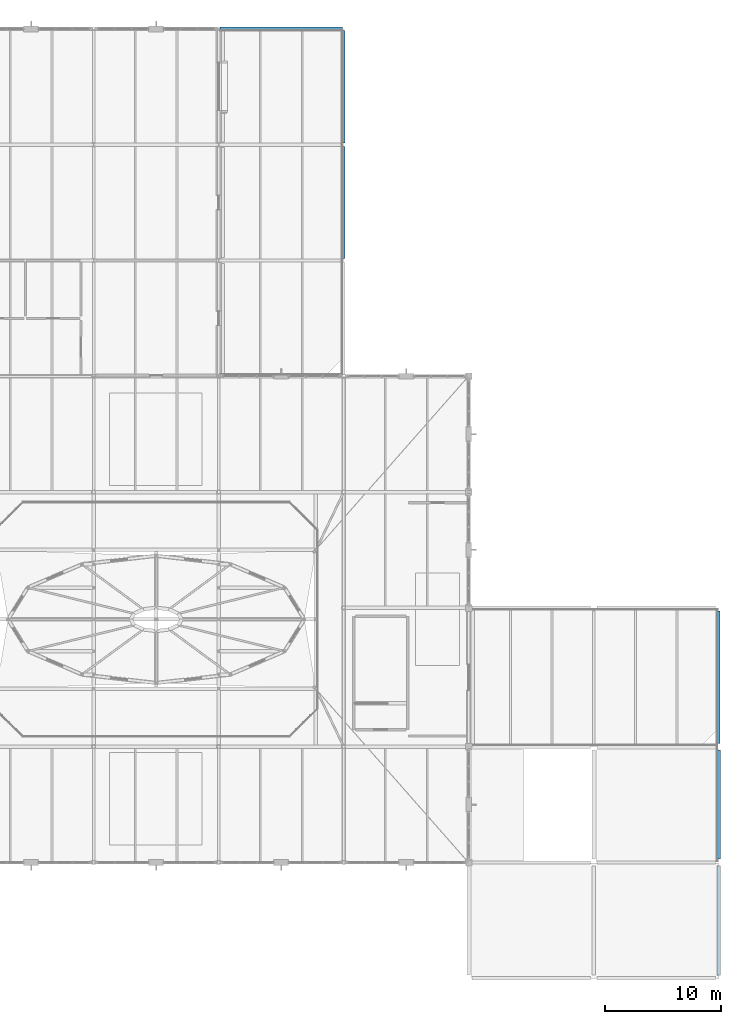
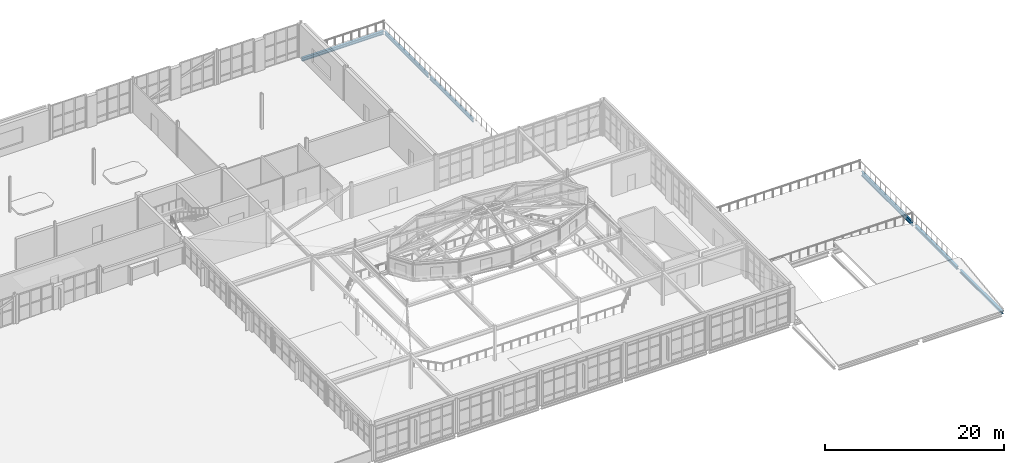
# One storey, part 55 of 86: 6 beams.
"""IFC4 building model written with IfcOpenShell, lengths in metres."""

import ifcopenshell
import ifcopenshell.guid

model = None  # the IFC model being written
_history = None  # IfcOwnerHistory: only IFC2X3 demands one
_inside = {}  # id of a spatial element -> (the spatial element, [elements in it])
_under = {}  # id of a project, library or spatial element -> (it, [spatial elements below it])
_declared = {}  # id of a project -> (the project, [libraries it declares])
_typed = {}  # id of a type object -> (the type object, [elements of that type])
_made_of = {}  # id of a material, layer set ... -> (it, [elements and type objects made of it])


def new_model(schema):
    """Start an empty IFC model of exactly this schema.

    Asked for "IFC4X3", IfcOpenShell would pick the latest addendum, in which some entities
    have other attributes; the version numbers below select the first issue.
    IFC2X3 requires an IfcOwnerHistory on every rooted entity: one is made here for all.
    """
    global model, _history
    if schema == "IFC4X3":
        model = ifcopenshell.file(schema_version=(4, 3, 0, 0))
    else:
        model = ifcopenshell.file(schema=schema)
    _inside.clear()
    _under.clear()
    _declared.clear()
    _typed.clear()
    _made_of.clear()
    _history = None
    if model.schema == "IFC2X3":
        org = make("IfcOrganization", Name="unknown")
        user = make(
            "IfcPersonAndOrganization",
            ThePerson=make("IfcPerson", FamilyName="unknown"),
            TheOrganization=org,
        )
        app = make(
            "IfcApplication",
            ApplicationDeveloper=org,
            Version="unknown",
            ApplicationFullName="unknown",
            ApplicationIdentifier="unknown",
        )
        _history = make(
            "IfcOwnerHistory",
            OwningUser=user,
            OwningApplication=app,
            ChangeAction="ADDED",
            CreationDate=0,
        )
    return model


def make(cls, **values):
    """One entity of the class cls with the attributes given. An attribute that is None is left unset."""
    return model.create_entity(
        cls, **{name: value for name, value in values.items() if value is not None}
    )


def rooted(cls, **values):
    """An entity with a GlobalId (a new one), such as an element, a storey or a relation."""
    return make(cls, GlobalId=ifcopenshell.guid.new(), OwnerHistory=_history, **values)


def si_unit(unit_type, name, prefix=None):
    """IfcSIUnit, for example si_unit("LENGTHUNIT", "METRE", prefix="MILLI")."""
    return make("IfcSIUnit", UnitType=unit_type, Prefix=prefix, Name=name)


def assignment(units):
    """IfcUnitAssignment: the units of a project."""
    return None if units is None else make("IfcUnitAssignment", Units=units)


def point(xyz):
    """IfcCartesianPoint."""
    return None if xyz is None else make("IfcCartesianPoint", Coordinates=xyz)


def direction(xyz):
    """IfcDirection."""
    return None if xyz is None else make("IfcDirection", DirectionRatios=xyz)


def frame(location, z_axis=None, x_axis=None):
    """IfcAxis2Placement3D, a coordinate frame: its origin and axes. An axis left out is left unset."""
    return make(
        "IfcAxis2Placement3D",
        Location=point(location),
        Axis=direction(z_axis),
        RefDirection=direction(x_axis),
    )


def frame_2d(location, x_axis=None):
    """IfcAxis2Placement2D, a coordinate frame in the plane: its origin and x axis."""
    return make(
        "IfcAxis2Placement2D", Location=point(location), RefDirection=direction(x_axis)
    )


def origin():
    """The frame at (0, 0, 0) with its axes left unset."""
    return frame((0.0, 0.0, 0.0))


def origin_2d():
    """The frame at (0, 0) in the plane with its x axis left unset."""
    return frame_2d((0.0, 0.0))


def place(relative_to, where):
    """IfcLocalPlacement: puts the frame where relative to a parent placement (None: the world)."""
    return make(
        "IfcLocalPlacement", PlacementRelTo=relative_to, RelativePlacement=where
    )


def context(
    kind, dimensions, precision=None, world=None, true_north=None, identifier=None
):
    """IfcGeometricRepresentationContext, for example the 3D "Model" context."""
    return make(
        "IfcGeometricRepresentationContext",
        ContextIdentifier=identifier,
        ContextType=kind,
        CoordinateSpaceDimension=dimensions,
        Precision=precision,
        WorldCoordinateSystem=world,
        TrueNorth=true_north,
    )


def subcontext(parent, identifier, kind, view, scale=None):
    """IfcGeometricRepresentationSubContext, for example "Body" below "Model"."""
    return make(
        "IfcGeometricRepresentationSubContext",
        ContextIdentifier=identifier,
        ContextType=kind,
        ParentContext=parent,
        TargetScale=scale,
        TargetView=view,
    )


def project(units=None, contexts=None):
    """IfcProject with its units and contexts."""
    return rooted(
        "IfcProject",
        Name="project",
        RepresentationContexts=contexts,
        UnitsInContext=assignment(units),
    )


def spatial(cls, under=None, at=None, **own):
    """A site, building, storey or space (cls), placed at a placement, below another one or the project."""
    s = rooted(cls, ObjectPlacement=at, **own)
    if under is not None:
        _under.setdefault(under.id(), (under, []))[1].append(s)
    return s


def profile(cls, at=None, kind="AREA", **sizes):
    """A parametric profile (cls). Its sizes go by their IFC names, for example OverallWidth=200.0."""
    return make(cls, ProfileType=kind, Position=at, **sizes)


def i_section(**sizes):
    """IfcIShapeProfileDef."""
    return profile("IfcIShapeProfileDef", **sizes)


def extrude(swept, where, along, depth):
    """IfcExtrudedAreaSolid: the profile swept, set in the frame where, extruded along a direction by depth."""
    return make(
        "IfcExtrudedAreaSolid",
        SweptArea=swept,
        Position=where,
        ExtrudedDirection=direction(along),
        Depth=depth,
    )


def shape(context_of_items, identifier, shape_type, items):
    """IfcShapeRepresentation: the items that make up one representation, for example the "Body"."""
    return make(
        "IfcShapeRepresentation",
        ContextOfItems=context_of_items,
        RepresentationIdentifier=identifier,
        RepresentationType=shape_type,
        Items=items,
    )


def material(Name=None, Category=None):
    """IfcMaterial."""
    return make("IfcMaterial", Name=Name, Category=Category)


def material_profile(
    of_material, cross_section, Name=None, Category=None, Priority=None
):
    """IfcMaterialProfile: a cross section and its material."""
    return make(
        "IfcMaterialProfile",
        Name=Name,
        Material=of_material,
        Profile=cross_section,
        Priority=Priority,
        Category=Category,
    )


def profile_set(profiles, Name=None, composite=None):
    """IfcMaterialProfileSet."""
    return make(
        "IfcMaterialProfileSet",
        Name=Name,
        MaterialProfiles=profiles,
        CompositeProfile=composite,
    )


def made_of(thing, what):
    """Note that an element or type object is made of a material, layer set ...; save() writes the relation."""
    if what is not None:
        _made_of.setdefault(what.id(), (what, []))[1].append(thing)
    return thing


def type_object(cls, material=None, **own):
    """A type object (cls), such as IfcWallType, which elements share."""
    return made_of(rooted(cls, **own), material)


def element(
    cls,
    number,
    at=None,
    inside=None,
    cuts=None,
    type_object=None,
    material=None,
    context=None,
    identifier="Body",
    shape_type=None,
    held_by="IfcProductDefinitionShape",
    body=None,
    shapes=None,
    **own,
):
    """One element of the class cls, such as IfcWall. Its Tag is "e" and its number.

    at: its placement. inside: the storey or other place that contains it. cuts: it is an
    opening in that element (IfcRelVoidsElement). A single representation is given by context,
    identifier, shape_type and body (its items); several are given by shapes. held_by: the class
    of the entity that holds the representations. save() writes the other relations.
    """
    e = rooted(cls, Tag="e%d" % number, ObjectPlacement=at, **own)
    if body is not None:
        shapes = [shape(context, identifier, shape_type, body)]
    if shapes is not None:
        e.Representation = make(held_by, Representations=shapes)
    if inside is not None:
        _inside.setdefault(inside.id(), (inside, []))[1].append(e)
    if cuts is not None:
        rooted(
            "IfcRelVoidsElement", RelatingBuildingElement=cuts, RelatedOpeningElement=e
        )
    if type_object is not None:
        _typed.setdefault(type_object.id(), (type_object, []))[1].append(e)
    return made_of(e, material)


def aggregate(whole, parts):
    """IfcRelAggregates: a whole, such as a stair, and the parts it consists of."""
    return rooted("IfcRelAggregates", RelatingObject=whole, RelatedObjects=parts)


def save(model, path):
    """Write the relations noted so far, then the file.

    IfcRelAggregates (storeys below a building ...), IfcRelContainedInSpatialStructure (elements
    in a storey), IfcRelDefinesByType, IfcRelAssociatesMaterial and IfcRelDeclares: one each for
    every whole, place, type object, material and project.
    """
    for whole, parts in _under.values():
        aggregate(whole, parts)
    for where, things in _inside.values():
        rooted(
            "IfcRelContainedInSpatialStructure",
            RelatedElements=things,
            RelatingStructure=where,
        )
    for kind, things in _typed.values():
        rooted("IfcRelDefinesByType", RelatedObjects=things, RelatingType=kind)
    for what, things in _made_of.values():
        rooted("IfcRelAssociatesMaterial", RelatedObjects=things, RelatingMaterial=what)
    for by, libraries in _declared.values():
        rooted("IfcRelDeclares", RelatingContext=by, RelatedDefinitions=libraries)
    model.write(path)


model = new_model("IFC4")

# Units and contexts
model_context = context("Model", 3, precision=1e-05, world=origin(), true_north=direction((0.0, 1.0)))
body_context = subcontext(model_context, "Body", "Model", "MODEL_VIEW")
ifc_project = project(units=[si_unit("LENGTHUNIT", "METRE"), si_unit("AREAUNIT", "SQUARE_METRE"), si_unit("VOLUMEUNIT", "CUBIC_METRE"), si_unit("PLANEANGLEUNIT", "RADIAN"), si_unit("MASSUNIT", "GRAM", prefix="KILO")], contexts=[model_context])

# Site, building, storey
site_placement = place(None, origin())
site = spatial("IfcSite", under=ifc_project, at=site_placement, CompositionType="ELEMENT")
building_placement = place(site_placement, origin())
building = spatial("IfcBuilding", under=site, at=building_placement, Name="Tasgan Crest Museum", CompositionType="ELEMENT")
storey_placement = place(building_placement, frame((0.0, 0.0, 24.0)))
storey = spatial("IfcBuildingStorey", under=building, at=storey_placement, Name="L04", CompositionType="ELEMENT", Elevation=24.0)

# Beams
ifc_material_1 = material(Name="Steel S355J2", Category="steel")
ifc_material_profile_1 = material_profile(ifc_material_1, i_section(OverallWidth=0.300048828125, OverallDepth=0.389892578125, WebThickness=0.010986328125, FlangeThickness=0.01904296875, FilletRadius=0.027099609375, at=origin_2d()), Name="HEA 400")
ifc_profile_set_1 = profile_set([ifc_material_profile_1], Name="Steel S355J2")
beam_type_1 = type_object("IfcBeamType", Name="BM-G-HEA400", PredefinedType="BEAM", material=ifc_profile_set_1)
for number, where, z_axis, x_axis, name in (
    (1, (129.60009765625, 30.294921875, -0.47509765625), (0.0, 1.0, 0.0), (-1.0, 0.0, 0.0), "East upper archive south roof beam 13 30.0"),
    (2, (129.60009765625, 40.294921875, -0.47509765625), (0.0, 1.0, 0.0), (-1.0, 0.0, 0.0), "East upper archive corridor roof beam 13 40.0"),
):
    element("IfcBeam", number, at=place(storey_placement, frame(where, z_axis=z_axis, x_axis=x_axis)), inside=storey, type_object=beam_type_1, Name=name, PredefinedType="BEAM", context=body_context, shape_type="SweptSolid", body=[
        extrude(i_section(OverallWidth=0.300048828125, OverallDepth=0.389892578125, WebThickness=0.010986328125, FlangeThickness=0.01904296875, FilletRadius=0.027099609375, at=origin_2d()), origin(), (0.0, 0.0, 1.0), 9.41015625),
    ])
ifc_material_2 = material(Name="Steel S355J2", Category="steel")
ifc_material_profile_2 = material_profile(ifc_material_2, i_section(OverallWidth=0.300048828125, OverallDepth=0.43994140625, WebThickness=0.011474609375, FlangeThickness=0.02099609375, FilletRadius=0.027099609375, at=origin_2d()), Name="HEA 450")
ifc_profile_set_2 = profile_set([ifc_material_profile_2], Name="Steel S355J2")
beam_type_2 = type_object("IfcBeamType", Name="BM-G-HEA450", PredefinedType="BEAM", material=ifc_profile_set_2)
beam_1_placement = place(storey_placement, frame((86.52587890625, 112.0, -0.469970703125), z_axis=(1.0, 0.0, 0.0), x_axis=(0.0, 1.0, 0.0)))
element("IfcBeam", 3, at=beam_1_placement, inside=storey, type_object=beam_type_2, Name="Girder L04 M 86.4-97.2", PredefinedType="BEAM", context=body_context, shape_type="SweptSolid", body=[
    extrude(i_section(OverallWidth=0.300048828125, OverallDepth=0.43994140625, WebThickness=0.011474609375, FlangeThickness=0.02099609375, FilletRadius=0.027099609375, at=origin_2d()), origin(), (0.0, 0.0, 1.0), 10.548095703125),
])
ifc_material_3 = material(Name="Steel S355J2", Category="steel")
ifc_material_profile_3 = material_profile(ifc_material_3, i_section(OverallWidth=0.199951171875, OverallDepth=0.5, WebThickness=0.01025390625, FlangeThickness=0.01611328125, FilletRadius=0.02099609375, at=origin_2d()), Name="IPE 500")
ifc_profile_set_3 = profile_set([ifc_material_profile_3], Name="Steel S355J2")
beam_type_3 = type_object("IfcBeamType", Name="BM-G-IPE500", PredefinedType="BEAM", material=ifc_profile_set_3)
beam_2_placement = place(storey_placement, frame((97.199951171875, 92.169921875, -0.5), z_axis=(0.0, 1.0, 0.0), x_axis=(-1.0, 0.0, 0.0)))
element("IfcBeam", 4, at=beam_2_placement, inside=storey, type_object=beam_type_3, Name="Beam L04 10 92.0-102.0", PredefinedType="BEAM", context=body_context, shape_type="SweptSolid", body=[
    extrude(i_section(OverallWidth=0.199951171875, OverallDepth=0.5, WebThickness=0.01025390625, FlangeThickness=0.01611328125, FilletRadius=0.02099609375, at=origin_2d()), origin(), (0.0, 0.0, 1.0), 9.66015625),
])
beam_3_placement = place(storey_placement, frame((97.199951171875, 102.169921875, -0.5), z_axis=(0.0, 1.0, 0.0), x_axis=(-1.0, 0.0, 0.0)))
element("IfcBeam", 5, at=beam_3_placement, inside=storey, type_object=beam_type_3, Name="Beam L04 10 102.0-112.0", PredefinedType="BEAM", context=body_context, shape_type="SweptSolid", body=[
    extrude(i_section(OverallWidth=0.199951171875, OverallDepth=0.5, WebThickness=0.01025390625, FlangeThickness=0.01611328125, FilletRadius=0.02099609375, at=origin_2d()), origin(), (0.0, 0.0, 1.0), 9.705078125),
])
ifc_material_4 = material(Name="Steel S355J2", Category="steel")
ifc_material_profile_4 = material_profile(ifc_material_4, i_section(OverallWidth=0.219970703125, OverallDepth=0.60009765625, WebThickness=0.011962890625, FlangeThickness=0.01904296875, FilletRadius=0.02392578125, at=origin_2d()), Name="IPE 600")
ifc_profile_set_4 = profile_set([ifc_material_profile_4], Name="Steel S355J2")
beam_type_4 = type_object("IfcBeamType", Name="BM-G-IPE600", PredefinedType="BEAM", material=ifc_profile_set_4)
beam_4_placement = place(storey_placement, frame((129.60009765625, 50.294921875, -0.550048828125), z_axis=(0.0, 1.0, 0.0), x_axis=(-1.0, 0.0, 0.0)))
element("IfcBeam", 6, at=beam_4_placement, inside=storey, type_object=beam_type_4, Name="Beam L04 13 50.0-62.0", PredefinedType="BEAM", context=body_context, shape_type="SweptSolid", body=[
    extrude(i_section(OverallWidth=0.219970703125, OverallDepth=0.60009765625, WebThickness=0.011962890625, FlangeThickness=0.01904296875, FilletRadius=0.02392578125, at=origin_2d()), origin(), (0.0, 0.0, 1.0), 11.41015625),
])

save(model, "model.ifc")
